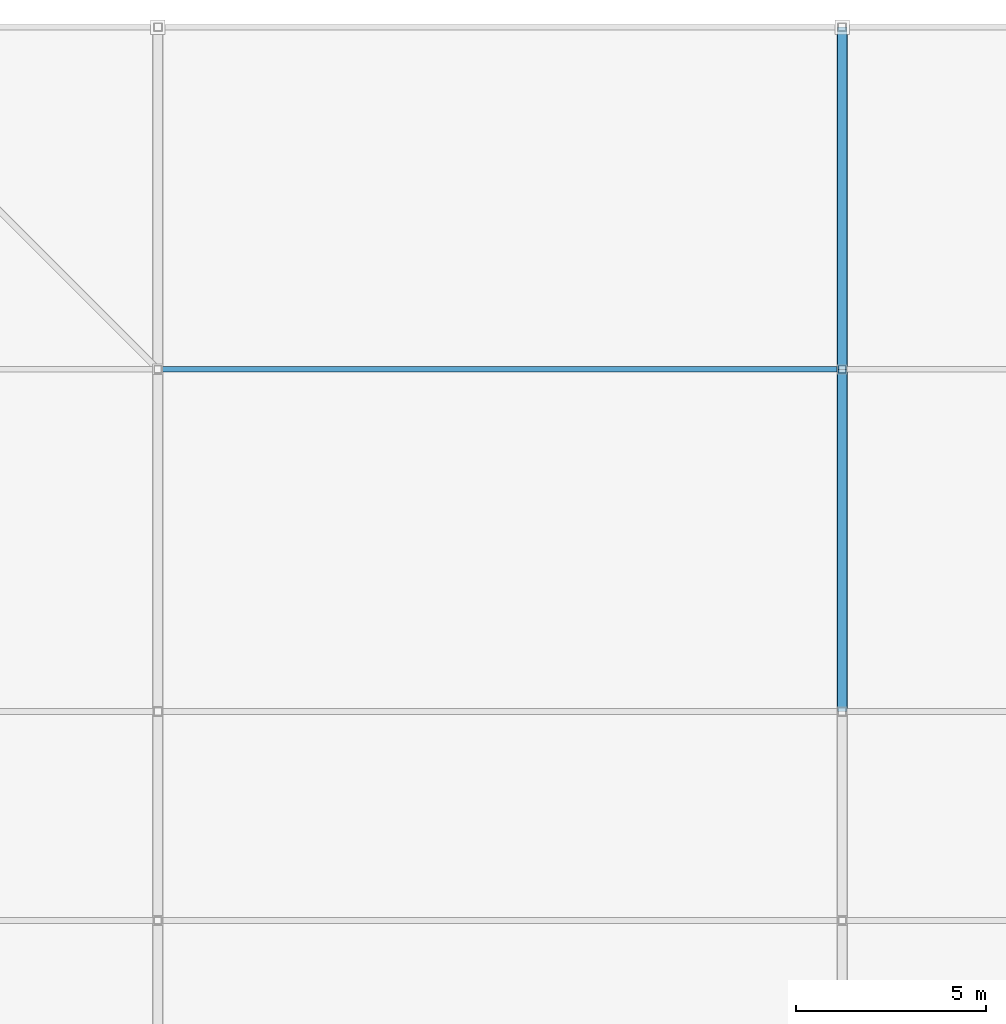
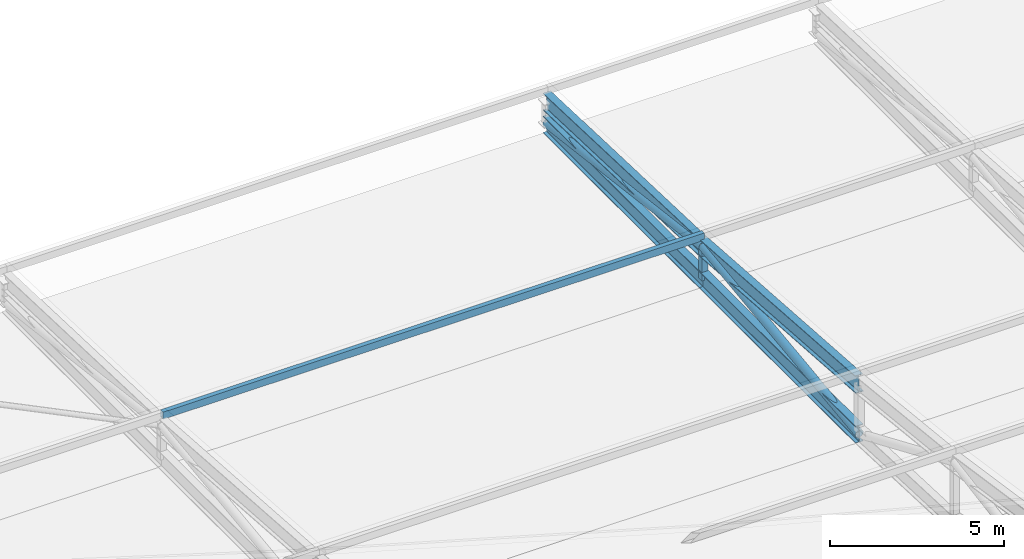
# One storey, part 72 of 114: 4 beams, 4 members.
"""IFC4 building model written with IfcOpenShell, lengths in metres."""

from ifc_helpers import new_model, si_unit, direction, frame, origin, origin_2d, place, context, subcontext, project, spatial, hollow_rectangle, hollow_circle, i_section, extrude, material, material_profile, profile_set, type_object, element, save


model = new_model("IFC4")

# Units and contexts
model_context = context("Model", 3, precision=1e-05, world=origin(), true_north=direction((0.0, 1.0)))
body_context = subcontext(model_context, "Body", "Model", "MODEL_VIEW")
ifc_project = project(units=[si_unit("LENGTHUNIT", "METRE"), si_unit("AREAUNIT", "SQUARE_METRE"), si_unit("VOLUMEUNIT", "CUBIC_METRE"), si_unit("PLANEANGLEUNIT", "RADIAN"), si_unit("MASSUNIT", "GRAM", prefix="KILO"), si_unit("THERMODYNAMICTEMPERATUREUNIT", "KELVIN"), si_unit("POWERUNIT", "WATT")], contexts=[model_context])

# Site, building, storey
site_placement = place(None, origin())
site = spatial("IfcSite", under=ifc_project, at=site_placement, CompositionType="ELEMENT")
building_placement = place(site_placement, origin())
building = spatial("IfcBuilding", under=site, at=building_placement, Name="Sindhuravela Promenade Stadium", CompositionType="ELEMENT")
storey_placement = place(building_placement, frame((0.0, 0.0, 24.0)))
storey = spatial("IfcBuildingStorey", under=building, at=storey_placement, Name="L05", CompositionType="ELEMENT", Elevation=24.0)

# Beams
ifc_material = material(Name="Steel E350 (IS 2062 E350BR)", Category="steel")
ifc_material_profile_1 = material_profile(ifc_material, i_section(OverallWidth=0.25, OverallDepth=0.60009765625, WebThickness=0.01171875, FlangeThickness=0.023681640625, FilletRadius=0.01708984375, at=origin_2d()), Name="ISWB 600")
ifc_profile_set_1 = profile_set([ifc_material_profile_1], Name="Steel E350 (IS 2062 E350BR)")
beam_type = type_object("IfcBeamType", Name="ST-BM-WB600", PredefinedType="USERDEFINED", material=ifc_profile_set_1)
beam_1_placement = place(storey_placement, frame((126.0, 153.0, 0.800048828125), z_axis=(0.0, -0.9993399990381225, 0.03632583546850814), x_axis=(1.0, 0.0, 0.0)))
element("IfcBeam", 1, at=beam_1_placement, inside=storey, type_object=beam_type, Name="Roof truss RT-N06 top chord 1", ObjectType="ROOF TRUSS", PredefinedType="USERDEFINED", context=body_context, shape_type="SweptSolid", body=[
    extrude(i_section(OverallWidth=0.25, OverallDepth=0.60009765625, WebThickness=0.01171875, FlangeThickness=0.023681640625, FilletRadius=0.01708984375, at=origin_2d()), origin(), (0.0, 0.0, 1.0), 9.005859375),
])
beam_2_placement = place(storey_placement, frame((126.0, 153.0, 0.0), z_axis=(0.0, -1.0, 0.0), x_axis=(1.0, 0.0, 0.0)))
element("IfcBeam", 2, at=beam_2_placement, inside=storey, type_object=beam_type, Name="Roof truss RT-N06 bottom chord 1", ObjectType="ROOF TRUSS", PredefinedType="USERDEFINED", context=body_context, shape_type="SweptSolid", body=[
    extrude(i_section(OverallWidth=0.25, OverallDepth=0.60009765625, WebThickness=0.01171875, FlangeThickness=0.023681640625, FilletRadius=0.01708984375, at=origin_2d()), origin(), (0.0, 0.0, 1.0), 9.0),
])
beam_3_placement = place(storey_placement, frame((126.0, 144.0, 1.127197265625), z_axis=(0.0, -0.9975125305940163, 0.07048937017679613), x_axis=(1.0, 0.0, 0.0)))
element("IfcBeam", 3, at=beam_3_placement, inside=storey, type_object=beam_type, Name="Roof truss RT-N06 top chord 2", ObjectType="ROOF TRUSS", PredefinedType="USERDEFINED", context=body_context, shape_type="SweptSolid", body=[
    extrude(i_section(OverallWidth=0.25, OverallDepth=0.60009765625, WebThickness=0.01171875, FlangeThickness=0.023681640625, FilletRadius=0.01708984375, at=origin_2d()), origin(), (0.0, 0.0, 1.0), 9.0224609375),
])
beam_4_placement = place(storey_placement, frame((126.0, 144.0, 0.0), z_axis=(0.0, -1.0, 0.0), x_axis=(1.0, 0.0, 0.0)))
element("IfcBeam", 4, at=beam_4_placement, inside=storey, type_object=beam_type, Name="Roof truss RT-N06 bottom chord 2", ObjectType="ROOF TRUSS", PredefinedType="USERDEFINED", context=body_context, shape_type="SweptSolid", body=[
    extrude(i_section(OverallWidth=0.25, OverallDepth=0.60009765625, WebThickness=0.01171875, FlangeThickness=0.023681640625, FilletRadius=0.01708984375, at=origin_2d()), origin(), (0.0, 0.0, 1.0), 9.0),
])

# Members
ifc_material_profile_2 = material_profile(ifc_material, hollow_circle(Radius=0.136474609375, WallThickness=0.010009765625, at=origin_2d()), Name="CHS 273.0x10")
ifc_profile_set_2 = profile_set([ifc_material_profile_2], Name="Steel E350 (IS 2062 E350BR)")
member_type_1 = type_object("IfcMemberType", Name="ST-MB-CHS273", PredefinedType="BRACE", material=ifc_profile_set_2)
for number, where, z_axis, x_axis, name in (
    (5, (126.0, 153.0, 0.0), (0.0, -0.9922480329009012, 0.12427325216752011), (1.0, 0.0, 0.0), "Roof truss RT-N06 diagonal web 1"),
    (6, (126.0, 144.0, 1.127197265625), (0.0, -0.9922480329009012, -0.12427325216752011), (1.0, 0.0, 0.0), "Roof truss RT-N06 diagonal web 2"),
):
    element("IfcMember", number, at=place(storey_placement, frame(where, z_axis=z_axis, x_axis=x_axis)), inside=storey, type_object=member_type_1, Name=name, PredefinedType="BRACE", context=body_context, shape_type="SweptSolid", body=[
        extrude(hollow_circle(Radius=0.136474609375, WallThickness=0.010009765625, at=origin_2d()), origin(), (0.0, 0.0, 1.0), 9.0703125),
    ])
ifc_material_profile_3 = material_profile(ifc_material, hollow_rectangle(XDim=0.14990234375, YDim=0.25, WallThickness=0.010009765625, at=origin_2d()), Name="RHS 250x150x10")
ifc_profile_set_3 = profile_set([ifc_material_profile_3], Name="Steel E350 (IS 2062 E350BR)")
member_type_2 = type_object("IfcMemberType", Name="ST-MB-RHS250", PredefinedType="PURLIN", material=ifc_profile_set_3)
member_1_placement = place(storey_placement, frame((108.0, 144.0, 1.51904296875), z_axis=(1.0, 0.0, 0.0), x_axis=(0.0, 1.0, 0.0)))
element("IfcMember", 7, at=member_1_placement, inside=storey, type_object=member_type_2, Name="Roof purlin PR01 N bay 5.2", PredefinedType="PURLIN", context=body_context, shape_type="SweptSolid", body=[
    extrude(hollow_rectangle(XDim=0.14990234375, YDim=0.25, WallThickness=0.010009765625, at=origin_2d()), origin(), (0.0, 0.0, 1.0), 18.0),
])
ifc_material_profile_4 = material_profile(ifc_material, hollow_rectangle(XDim=0.199951171875, YDim=0.199951171875, WallThickness=0.010009765625, at=origin_2d()), Name="SHS 200x200x10")
ifc_profile_set_4 = profile_set([ifc_material_profile_4], Name="Steel E350 (IS 2062 E350BR)")
member_type_3 = type_object("IfcMemberType", Name="ST-MB-SHS200", PredefinedType="POST", material=ifc_profile_set_4)
member_2_placement = place(storey_placement, frame((126.0, 144.0, 0.0), z_axis=(0.0, 0.0, 1.0), x_axis=(1.0, 0.0, 0.0)))
element("IfcMember", 8, at=member_2_placement, inside=storey, type_object=member_type_3, Name="Roof truss RT-N06 vertical post 2", PredefinedType="POST", context=body_context, shape_type="SweptSolid", body=[
    extrude(hollow_rectangle(XDim=0.199951171875, YDim=0.199951171875, WallThickness=0.010009765625, at=origin_2d()), origin(), (0.0, 0.0, 1.0), 1.127197265625),
])

save(model, "model.ifc")
